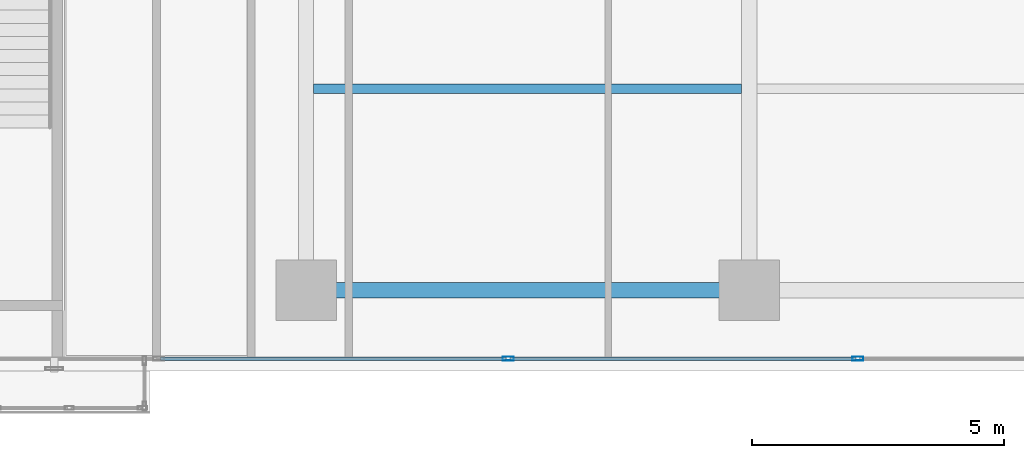
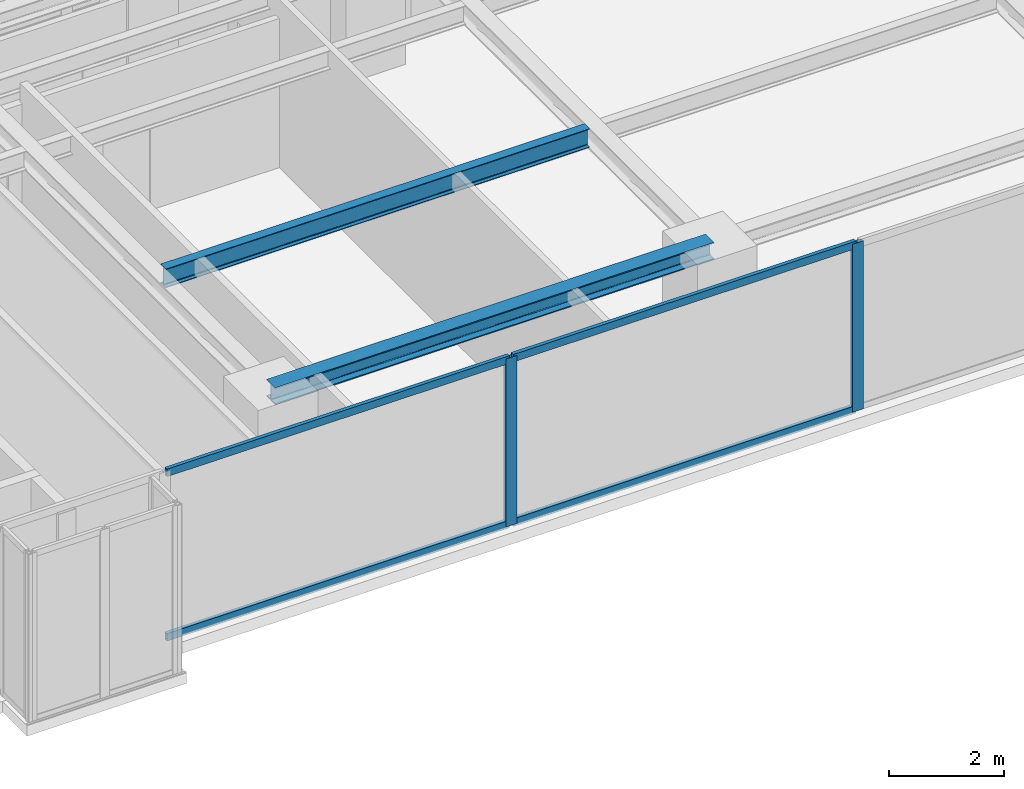
# One storey, part 10 of 23: 6 members, 2 beams, 1 element without a shape of its own.
"""IFC4 building model written with IfcOpenShell, lengths in metres."""

from ifc_helpers import new_model, si_unit, direction, frame, origin, origin_with_axes, origin_2d, place, context, subcontext, project, spatial, hollow_rectangle, i_section, extrude, source, transform, mapped, material, layer, layer_set, material_profile, profile_set, type_object, element, aggregate, save


model = new_model("IFC4")

# Units and contexts
model_context = context("Model", 3, precision=1e-05, world=origin(), true_north=direction((0.0, 1.0)))
body_context = subcontext(model_context, "Body", "Model", "MODEL_VIEW")
ifc_project = project(units=[si_unit("LENGTHUNIT", "METRE"), si_unit("AREAUNIT", "SQUARE_METRE"), si_unit("VOLUMEUNIT", "CUBIC_METRE"), si_unit("PLANEANGLEUNIT", "RADIAN"), si_unit("MASSUNIT", "GRAM", prefix="KILO")], contexts=[model_context])

# Site, building, storey
site_placement = place(None, origin())
site = spatial("IfcSite", under=ifc_project, at=site_placement, CompositionType="ELEMENT")
building_placement = place(site_placement, origin())
building = spatial("IfcBuilding", under=site, at=building_placement, Name="Kolvaren Waterfront Exchange", CompositionType="ELEMENT")
storey_placement = place(building_placement, frame((0.0, 0.0, 188.0)))
storey = spatial("IfcBuildingStorey", under=building, at=storey_placement, Name="L48", CompositionType="ELEMENT", Elevation=188.0)

# Beams
ifc_material_1 = material(Name="Steel S355", Category="steel")
ifc_material_profile_1 = material_profile(ifc_material_1, i_section(OverallWidth=0.300048828125, OverallDepth=0.360107421875, WebThickness=0.012451171875, FlangeThickness=0.0224609375, FilletRadius=0.027099609375, at=origin_2d()), Name="HEB360")
ifc_profile_set_1 = profile_set([ifc_material_profile_1], Name="Steel S355")
beam_type_1 = type_object("IfcBeamType", Name="STR-BM-HEB360", PredefinedType="SPANDREL", material=ifc_profile_set_1)
beam_1_placement = place(storey_placement, frame((36.800048828125, 5.199951171875, 3.3798828125), z_axis=(1.0, 0.0, 0.0), x_axis=(0.0, 1.0, 0.0)))
element("IfcBeam", 1, at=beam_1_placement, inside=storey, type_object=beam_type_1, Name="L48 east-arm spandrel S3", PredefinedType="SPANDREL", context=body_context, shape_type="SweptSolid", body=[
    extrude(i_section(OverallWidth=0.300048828125, OverallDepth=0.360107421875, WebThickness=0.012451171875, FlangeThickness=0.0224609375, FilletRadius=0.027099609375, at=origin_2d()), origin(), (0.0, 0.0, 1.0), 8.800048828125),
])
ifc_material_profile_2 = material_profile(ifc_material_1, i_section(OverallWidth=0.179931640625, OverallDepth=0.39990234375, WebThickness=0.008544921875, FlangeThickness=0.013427734375, FilletRadius=0.02099609375, at=origin_2d()), Name="IPE400")
ifc_profile_set_2 = profile_set([ifc_material_profile_2], Name="Steel S355")
beam_type_2 = type_object("IfcBeamType", Name="STR-BM-IPE400", PredefinedType="JOIST", material=ifc_profile_set_2)
beam_2_placement = place(storey_placement, frame((36.951904296875, 9.199951171875, 3.360107421875), z_axis=(1.0, 0.0, 0.0), x_axis=(0.0, 1.0, 0.0)))
element("IfcBeam", 2, at=beam_2_placement, inside=storey, type_object=beam_type_2, Name="L48 east-arm composite joist 3B", PredefinedType="JOIST", context=body_context, shape_type="SweptSolid", body=[
    extrude(i_section(OverallWidth=0.179931640625, OverallDepth=0.39990234375, WebThickness=0.008544921875, FlangeThickness=0.013427734375, FilletRadius=0.02099609375, at=origin_2d()), origin(), (0.0, 0.0, 1.0), 8.49609375),
])

# Curtain wall, members
ifc_material_2 = material(Name="Anodised bronze aluminium 6063-T6", Category="aluminium")
ifc_layer = layer(ifc_material_2, 0.219970703125, Name="Anodised bronze aluminium 6063-T6")
ifc_layer_set = layer_set([ifc_layer], Name="Anodised bronze aluminium 6063-T6")
curtain_wall_type = type_object("IfcCurtainWallType", Name="ARC-CW-SYS1", PredefinedType="USERDEFINED", material=ifc_layer_set)
curtain_wall_placement = place(storey_placement, origin())
curtain_wall = element("IfcCurtainWall", 3, at=curtain_wall_placement, inside=storey, type_object=curtain_wall_type, Name="L48 stick curtain wall CW1 (CW-L48-S)", ObjectType="STICK CURTAIN WALL", PredefinedType="USERDEFINED")
ifc_material_3 = material(Name="Anodised aluminium 6063-T6", Category="aluminium")
ifc_material_profile_3 = material_profile(ifc_material_3, hollow_rectangle(XDim=0.080078125, YDim=0.219970703125, WallThickness=0.0048828125, at=origin_2d()), Name="ALU-MUL-220x80x5")
ifc_profile_set_3 = profile_set([ifc_material_profile_3], Name="Anodised aluminium 6063-T6")
member_type_1 = type_object("IfcMemberType", Name="ARC-CWM-220", PredefinedType="MULLION", material=ifc_profile_set_3)
shared_shape_1 = source(origin_with_axes(), body_context, "Body", "SweptSolid", [
    extrude(hollow_rectangle(XDim=0.080078125, YDim=0.219970703125, WallThickness=0.0048828125, at=origin_2d()), origin(), (0.0, 0.0, 1.0), 3.56005859375),
])
member_1_placement = place(storey_placement, frame((40.814208984375, 3.840087890625, 0.0), z_axis=(0.0, 0.0, 1.0), x_axis=(0.0, 1.0, 0.0)))
member_1 = element("IfcMember", 4, at=member_1_placement, type_object=member_type_1, Name="CW1 mullion 6", PredefinedType="MULLION", context=body_context, shape_type="MappedRepresentation", body=[
    mapped(shared_shape_1, transform((0.0, 0.0, 0.0), x_axis=(1.0, 0.0, 0.0), y_axis=(0.0, 1.0, 0.0), z_axis=(0.0, 0.0, 1.0), scale=1.0)),
])
member_2_placement = place(storey_placement, frame((47.757080078125, 3.840087890625, 0.0), z_axis=(0.0, 0.0, 1.0), x_axis=(0.0, 1.0, 0.0)))
member_2 = element("IfcMember", 5, at=member_2_placement, type_object=member_type_1, Name="CW1 mullion 7", PredefinedType="MULLION", context=body_context, shape_type="MappedRepresentation", body=[
    mapped(shared_shape_1, transform((0.0, 0.0, 0.0), x_axis=(1.0, 0.0, 0.0), y_axis=(0.0, 1.0, 0.0), z_axis=(0.0, 0.0, 1.0), scale=1.0)),
])
ifc_material_profile_4 = material_profile(ifc_material_3, hollow_rectangle(XDim=0.074951171875, YDim=0.159912109375, WallThickness=0.00439453125, at=origin_2d()), Name="ALU-TRN-160x75x4.5")
ifc_profile_set_4 = profile_set([ifc_material_profile_4], Name="Anodised aluminium 6063-T6")
member_type_2 = type_object("IfcMemberType", Name="ARC-CWT-160", PredefinedType="USERDEFINED", material=ifc_profile_set_4)
shared_shape_2 = source(origin_with_axes(), body_context, "Body", "SweptSolid", [
    extrude(hollow_rectangle(XDim=0.074951171875, YDim=0.159912109375, WallThickness=0.00439453125, at=origin_2d()), origin(), (0.0, 0.0, 1.0), 6.86279296875),
])
member_3_placement = place(storey_placement, frame((33.911376953125, 3.840087890625, 0.03759765625), z_axis=(1.0, 0.0, 0.0), x_axis=(0.0, 1.0, 0.0)))
member_3 = element("IfcMember", 6, at=member_3_placement, type_object=member_type_2, Name="CW1 transom 5.1", ObjectType="TRANSOM", PredefinedType="USERDEFINED", context=body_context, shape_type="MappedRepresentation", body=[
    mapped(shared_shape_2, transform((0.0, 0.0, 0.0), x_axis=(1.0, 0.0, 0.0), y_axis=(0.0, 1.0, 0.0), z_axis=(0.0, 0.0, 1.0), scale=1.0)),
])
member_4_placement = place(storey_placement, frame((33.911376953125, 3.840087890625, 3.5224609375), z_axis=(1.0, 0.0, 0.0), x_axis=(0.0, 1.0, 0.0)))
member_4 = element("IfcMember", 7, at=member_4_placement, type_object=member_type_2, Name="CW1 transom 5.2", ObjectType="TRANSOM", PredefinedType="USERDEFINED", context=body_context, shape_type="MappedRepresentation", body=[
    mapped(shared_shape_2, transform((0.0, 0.0, 0.0), x_axis=(1.0, 0.0, 0.0), y_axis=(0.0, 1.0, 0.0), z_axis=(0.0, 0.0, 1.0), scale=1.0)),
])
member_5_placement = place(storey_placement, frame((40.854248046875, 3.840087890625, 0.03759765625), z_axis=(1.0, 0.0, 0.0), x_axis=(0.0, 1.0, 0.0)))
member_5 = element("IfcMember", 8, at=member_5_placement, type_object=member_type_2, Name="CW1 transom 6.1", ObjectType="TRANSOM", PredefinedType="USERDEFINED", context=body_context, shape_type="MappedRepresentation", body=[
    mapped(shared_shape_2, transform((0.0, 0.0, 0.0), x_axis=(1.0, 0.0, 0.0), y_axis=(0.0, 1.0, 0.0), z_axis=(0.0, 0.0, 1.0), scale=1.0)),
])
member_6_placement = place(storey_placement, frame((40.854248046875, 3.840087890625, 3.5224609375), z_axis=(1.0, 0.0, 0.0), x_axis=(0.0, 1.0, 0.0)))
member_6 = element("IfcMember", 9, at=member_6_placement, type_object=member_type_2, Name="CW1 transom 6.2", ObjectType="TRANSOM", PredefinedType="USERDEFINED", context=body_context, shape_type="MappedRepresentation", body=[
    mapped(shared_shape_2, transform((0.0, 0.0, 0.0), x_axis=(1.0, 0.0, 0.0), y_axis=(0.0, 1.0, 0.0), z_axis=(0.0, 0.0, 1.0), scale=1.0)),
])
aggregate(curtain_wall, [member_1, member_2, member_3, member_4, member_5, member_6])

save(model, "model.ifc")
